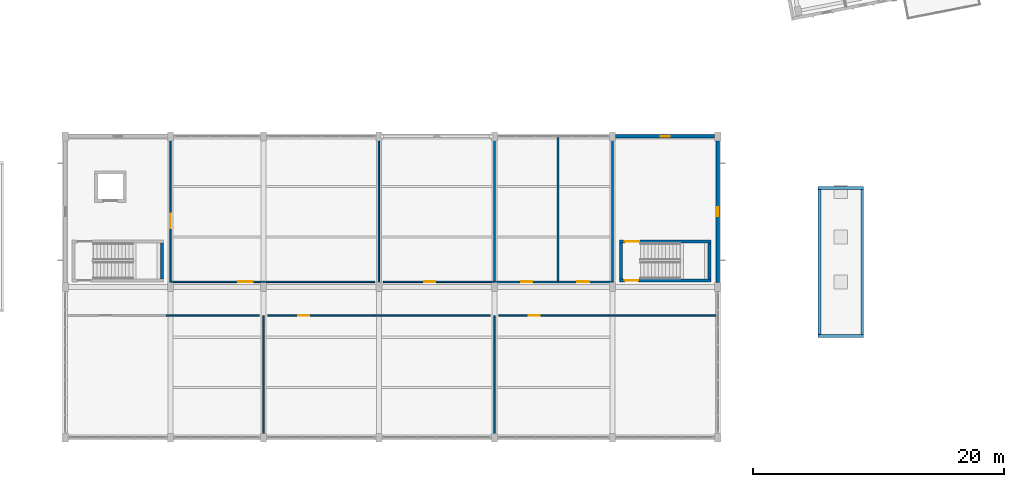
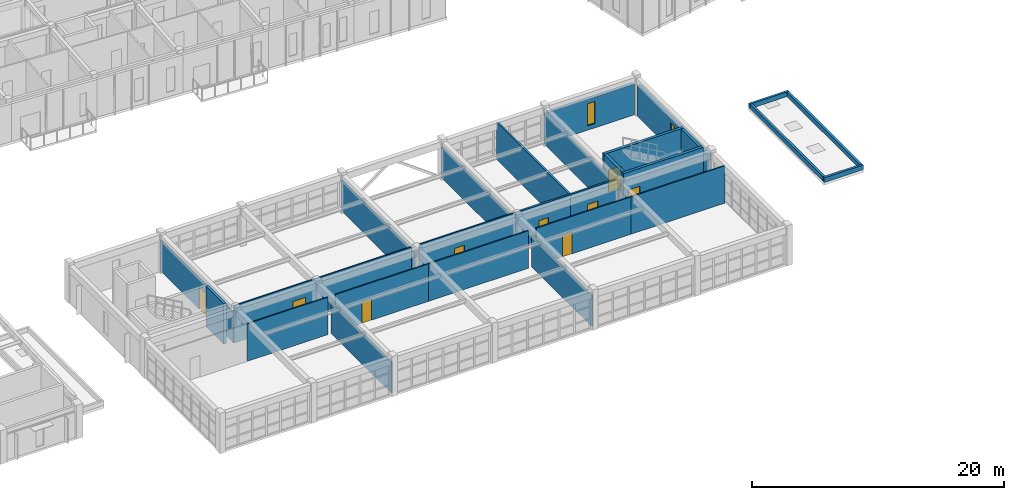
# One storey, part 86 of 150: 27 walls, 9 doors, 2 windows, 11 openings.
"""IFC4 building model written with IfcOpenShell, lengths in metres."""

from ifc_helpers import new_model, si_unit, direction, frame, frame_2d, origin, place, context, subcontext, project, spatial, rectangle, extrude, material, layer, layer_set, type_object, element, fill, save


model = new_model("IFC4")

# Units and contexts
model_context = context("Model", 3, precision=1e-05, world=origin(), true_north=direction((0.0, 1.0)))
body_context = subcontext(model_context, "Body", "Model", "MODEL_VIEW")
ifc_project = project(units=[si_unit("LENGTHUNIT", "METRE"), si_unit("AREAUNIT", "SQUARE_METRE"), si_unit("VOLUMEUNIT", "CUBIC_METRE"), si_unit("PLANEANGLEUNIT", "RADIAN"), si_unit("MASSUNIT", "GRAM", prefix="KILO")], contexts=[model_context])

# Site, building, storey
site_placement = place(None, origin())
site = spatial("IfcSite", under=ifc_project, at=site_placement, CompositionType="ELEMENT")
building_placement = place(site_placement, origin())
building = spatial("IfcBuilding", under=site, at=building_placement, Name="Kestramere Prow Commons", CompositionType="ELEMENT")
storey_placement = place(building_placement, frame((0.0, 0.0, 4.5)))
storey = spatial("IfcBuildingStorey", under=building, at=storey_placement, Name="L01", CompositionType="ELEMENT", Elevation=4.5)

# Wall, opening, window
ifc_material_1 = material(Name="Precast concrete C40/50", Category="concrete")
ifc_layer_1 = layer(ifc_material_1, 0.280029296875)
ifc_layer_set_1 = layer_set([ifc_layer_1], Name="Precast concrete C40/50")
wall_type_1 = type_object("IfcWallType", Name="EW-CIVIC-280", PredefinedType="SOLIDWALL", material=ifc_layer_set_1)
wall_1_placement = place(storey_placement, frame((103.85009765625, 24.0, 0.0), z_axis=(0.0, 0.0, 1.0), x_axis=(1.0, 0.0, 0.0)))
wall_1 = element("IfcWall", 1, at=wall_1_placement, inside=storey, type_object=wall_type_1, Name="Market L01 Core Wall 6", PredefinedType="SOLIDWALL", context=body_context, shape_type="SweptSolid", body=[
    extrude(rectangle(XDim=7.89990234375, YDim=0.280029296875, at=frame_2d((3.949951171875, 0.0))), origin(), (0.0, 0.0, 1.0), 2.989990234375),
])
opening_1_placement = place(wall_1_placement, frame((3.60009765625, 0.0, 0.419921875)))
opening_1 = element("IfcOpeningElement", 2, at=opening_1_placement, cuts=wall_1, Name="Opening WN-16", PredefinedType="OPENING", context=body_context, shape_type="SweptSolid", body=[
    extrude(rectangle(XDim=0.699951171875, YDim=2.139892578125, at=frame_2d((0.35009765625, 1.06982421875))), frame((0.0, 0.155029296875, 0.0), z_axis=(0.0, -1.0, 0.0), x_axis=(1.0, 0.0, 0.0)), (0.0, 0.0, 1.0), 0.31005859375),
])
ifc_material_2 = material(Name="Low-E Laminated Double Glazing", Category="glass")
window_type = type_object("IfcWindowType", Name="WN-CIV-700", PartitioningType="SINGLE_PANEL", PredefinedType="WINDOW", material=ifc_material_2)
window_1_placement = place(opening_1_placement, origin())
window_1 = element("IfcWindow", 3, at=window_1_placement, inside=storey, type_object=window_type, Name="WN-MK-L01-N-5", OverallHeight=2.139892578125, OverallWidth=0.699951171875, PartitioningType="SINGLE_PANEL", PredefinedType="WINDOW", context=body_context, shape_type="SweptSolid", body=[
    extrude(rectangle(XDim=0.699951171875, YDim=2.139892578125, at=frame_2d((0.35009765625, 1.06982421875))), frame((0.0, 0.030029296875, 0.0), z_axis=(0.0, -1.0, 0.0), x_axis=(1.0, 0.0, 0.0)), (0.0, 0.0, 1.0), 0.06005859375),
])
fill(opening_1, window_1)

wall_2_placement = place(storey_placement, frame((112.0, 23.64990234375, 0.0), z_axis=(0.0, 0.0, 1.0), x_axis=(0.0, -1.0, 0.0)))
wall_2 = element("IfcWall", 4, at=wall_2_placement, inside=storey, type_object=wall_type_1, Name="Market L01 E End Wall 2", PredefinedType="SOLIDWALL", context=body_context, shape_type="SweptSolid", body=[
    extrude(rectangle(XDim=11.2998046875, YDim=0.280029296875, at=frame_2d((5.64990234375, 0.0))), origin(), (0.0, 0.0, 1.0), 2.989990234375),
])
opening_2_placement = place(wall_2_placement, frame((5.300048828125, 0.0, 0.419921875)))
opening_2 = element("IfcOpeningElement", 5, at=opening_2_placement, cuts=wall_2, Name="Opening WN-16", PredefinedType="OPENING", context=body_context, shape_type="SweptSolid", body=[
    extrude(rectangle(XDim=0.699951171875, YDim=2.139892578125, at=frame_2d((0.35009765625, 1.06982421875))), frame((0.0, 0.155029296875, 0.0), z_axis=(0.0, -1.0, 0.0), x_axis=(1.0, 0.0, 0.0)), (0.0, 0.0, 1.0), 0.31005859375),
])
window_2_placement = place(opening_2_placement, origin())
window_2 = element("IfcWindow", 6, at=window_2_placement, inside=storey, type_object=window_type, Name="WN-MK-L01-E-1", OverallHeight=2.139892578125, OverallWidth=0.699951171875, PartitioningType="SINGLE_PANEL", PredefinedType="WINDOW", context=body_context, shape_type="SweptSolid", body=[
    extrude(rectangle(XDim=0.699951171875, YDim=2.139892578125, at=frame_2d((0.35009765625, 1.06982421875))), frame((0.0, 0.030029296875, 0.0), z_axis=(0.0, -1.0, 0.0), x_axis=(1.0, 0.0, 0.0)), (0.0, 0.0, 1.0), 0.06005859375),
])
fill(opening_2, window_2)

# Walls
ifc_layer_2 = layer(ifc_material_1, 0.2099609375)
ifc_layer_set_2 = layer_set([ifc_layer_2], Name="Precast concrete C40/50")
wall_type_2 = type_object("IfcWallType", Name="EW-PARAPET-210", PredefinedType="PARAPET", material=ifc_layer_set_2)
for number, where, z_axis, x_axis, name in (
    (7, (123.60009765625, 8.10498046875, 0.14990234375), (0.0, 0.0, 1.0), (-1.0, 0.0, 0.0), "East Canopy Fascia Parapet S"),
    (8, (120.0, 19.89501953125, 0.14990234375), (0.0, 0.0, 1.0), (1.0, 0.0, 0.0), "East Canopy Fascia Parapet N"),
):
    element("IfcWall", number, at=place(storey_placement, frame(where, z_axis=z_axis, x_axis=x_axis)), inside=storey, type_object=wall_type_2, Name=name, PredefinedType="PARAPET", context=body_context, shape_type="SweptSolid", body=[
        extrude(rectangle(XDim=3.60009765625, YDim=0.2099609375, at=frame_2d((1.800048828125, 0.0))), origin(), (0.0, 0.0, 1.0), 0.4501953125),
    ])
for number, where, z_axis, x_axis, name in (
    (9, (120.10498046875, 8.2099609375, 0.14990234375), (0.0, 0.0, 1.0), (0.0, 1.0, 0.0), "East Canopy Fascia Parapet W"),
    (10, (123.4951171875, 19.7900390625, 0.14990234375), (0.0, 0.0, 1.0), (0.0, -1.0, 0.0), "East Canopy Fascia Parapet E"),
):
    element("IfcWall", number, at=place(storey_placement, frame(where, z_axis=z_axis, x_axis=x_axis)), inside=storey, type_object=wall_type_2, Name=name, PredefinedType="PARAPET", context=body_context, shape_type="SweptSolid", body=[
        extrude(rectangle(XDim=11.580078125, YDim=0.2099609375, at=frame_2d((5.7900390625, 0.0))), origin(), (0.0, 0.0, 1.0), 0.4501953125),
    ])
ifc_material_3 = material(Name="Concrete C40/50", Category="concrete")
ifc_layer_3 = layer(ifc_material_3, 0.25)
ifc_layer_set_3 = layer_set([ifc_layer_3], Name="Concrete C40/50")
wall_type_3 = type_object("IfcWallType", Name="W-CORE-250", PredefinedType="SHEAR", material=ifc_layer_set_3)
wall_3_placement = place(storey_placement, frame((67.72509765625, 12.64990234375, 0.0), z_axis=(0.0, 0.0, 1.0), x_axis=(0.0, 1.0, 0.0)))
element("IfcWall", 11, at=wall_3_placement, inside=storey, type_object=wall_type_3, Name="SW-ST-M1-L01-F", PredefinedType="SHEAR", context=body_context, shape_type="SweptSolid", body=[
    extrude(rectangle(XDim=2.85009765625, YDim=0.25, at=frame_2d((1.425048828125, 0.0))), origin(), (0.0, 0.0, 1.0), 3.89990234375),
])

# Wall, opening, door
wall_4_placement = place(storey_placement, frame((104.14990234375, 12.52490234375, 0.0), z_axis=(0.0, 0.0, 1.0), x_axis=(1.0, 0.0, 0.0)))
wall_4 = element("IfcWall", 12, at=wall_4_placement, inside=storey, type_object=wall_type_3, Name="SW-ST-M2-L01-L", PredefinedType="SHEAR", context=body_context, shape_type="SweptSolid", body=[
    extrude(rectangle(XDim=7.300048828125, YDim=0.25, at=frame_2d((3.64990234375, 0.0))), origin(), (0.0, 0.0, 1.0), 3.89990234375),
])
opening_3_placement = place(wall_4_placement, frame((0.449951171875, 0.0, 0.0)))
opening_3 = element("IfcOpeningElement", 13, at=opening_3_placement, cuts=wall_4, Name="Opening ID-01", PredefinedType="OPENING", context=body_context, shape_type="SweptSolid", body=[
    extrude(rectangle(XDim=1.050048828125, YDim=2.14990234375, at=frame_2d((0.52490234375, 1.074951171875))), frame((0.0, 0.139892578125, 0.0), z_axis=(0.0, -1.0, 0.0), x_axis=(1.0, 0.0, 0.0)), (0.0, 0.0, 1.0), 0.280029296875),
])
ifc_material_4 = material(Name="Fire-Rated Timber and Steel Frame", Category="steel")
door_type_1 = type_object("IfcDoorType", Name="FD-ST-01", OperationType="NOTDEFINED", PredefinedType="DOOR", material=ifc_material_4)
door_1_placement = place(opening_3_placement, origin())
door_1 = element("IfcDoor", 14, at=door_1_placement, inside=storey, type_object=door_type_1, Name="ST-M2 L01 Protected Stair Door", OperationType="SINGLE_SWING_LEFT", OverallHeight=2.14990234375, OverallWidth=1.050048828125, PredefinedType="DOOR", context=body_context, shape_type="SweptSolid", body=[
    extrude(rectangle(XDim=1.050048828125, YDim=2.14990234375, at=frame_2d((0.52490234375, 1.074951171875))), frame((0.0, 0.02490234375, 0.0), z_axis=(0.0, -1.0, 0.0), x_axis=(1.0, 0.0, 0.0)), (0.0, 0.0, 1.0), 0.050048828125),
])
fill(opening_3, door_1)

wall_5_placement = place(storey_placement, frame((104.14990234375, 15.625, 0.0), z_axis=(0.0, 0.0, 1.0), x_axis=(1.0, 0.0, 0.0)))
wall_5 = element("IfcWall", 15, at=wall_5_placement, inside=storey, type_object=wall_type_3, Name="SW-ST-M2-L01-R", PredefinedType="SHEAR", context=body_context, shape_type="SweptSolid", body=[
    extrude(rectangle(XDim=7.300048828125, YDim=0.25, at=frame_2d((3.64990234375, 0.0))), origin(), (0.0, 0.0, 1.0), 3.89990234375),
])
opening_4_placement = place(wall_5_placement, frame((0.449951171875, 0.0, 0.0)))
opening_4 = element("IfcOpeningElement", 16, at=opening_4_placement, cuts=wall_5, Name="Opening ID-02", PredefinedType="OPENING", context=body_context, shape_type="SweptSolid", body=[
    extrude(rectangle(XDim=1.1201171875, YDim=2.14990234375, at=frame_2d((0.56005859375, 1.074951171875))), frame((0.0, 0.139892578125, 0.0), z_axis=(0.0, -1.0, 0.0), x_axis=(1.0, 0.0, 0.0)), (0.0, 0.0, 1.0), 0.280029296875),
])
door_type_2 = type_object("IfcDoorType", Name="FD-ST-02", OperationType="NOTDEFINED", PredefinedType="DOOR", material=ifc_material_4)
door_2_placement = place(opening_4_placement, origin())
door_2 = element("IfcDoor", 17, at=door_2_placement, inside=storey, type_object=door_type_2, Name="ST-M2 L01 Lobby/Exit Stair Door", OperationType="SINGLE_SWING_RIGHT", OverallHeight=2.14990234375, OverallWidth=1.1201171875, PredefinedType="DOOR", context=body_context, shape_type="SweptSolid", body=[
    extrude(rectangle(XDim=1.1201171875, YDim=2.14990234375, at=frame_2d((0.56005859375, 1.074951171875))), frame((0.0, 0.02490234375, 0.0), z_axis=(0.0, -1.0, 0.0), x_axis=(1.0, 0.0, 0.0)), (0.0, 0.0, 1.0), 0.050048828125),
])
fill(opening_4, door_2)

# Walls
for number, where, z_axis, x_axis, name in (
    (18, (104.27490234375, 12.64990234375, 0.0), (0.0, 0.0, 1.0), (0.0, 1.0, 0.0), "SW-ST-M2-L01-N"),
    (19, (111.324951171875, 12.64990234375, 0.0), (0.0, 0.0, 1.0), (0.0, 1.0, 0.0), "SW-ST-M2-L01-F"),
):
    element("IfcWall", number, at=place(storey_placement, frame(where, z_axis=z_axis, x_axis=x_axis)), inside=storey, type_object=wall_type_3, Name=name, PredefinedType="SHEAR", context=body_context, shape_type="SweptSolid", body=[
        extrude(rectangle(XDim=2.85009765625, YDim=0.25, at=frame_2d((1.425048828125, 0.0))), origin(), (0.0, 0.0, 1.0), 3.89990234375),
    ])
ifc_material_5 = material(Name="Lightweight Blockwork and Plaster", Category="masonry")
ifc_layer_4 = layer(ifc_material_5, 0.1201171875)
ifc_layer_set_4 = layer_set([ifc_layer_4], Name="Lightweight Blockwork and Plaster")
wall_type_4 = type_object("IfcWallType", Name="W-PART-120", PredefinedType="PARTITIONING", material=ifc_layer_set_4)
wall_6_placement = place(storey_placement, frame((68.050048828125, 9.719970703125, 0.0), z_axis=(0.0, 0.0, 1.0), x_axis=(1.0, 0.0, 0.0)))
element("IfcWall", 20, at=wall_6_placement, inside=storey, type_object=wall_type_4, Name="Interior Partition PW-MK-L01-CS-1", PredefinedType="PARTITIONING", context=body_context, shape_type="SweptSolid", body=[
    extrude(rectangle(XDim=7.39990234375, YDim=0.1201171875, at=frame_2d((3.699951171875, 0.0))), origin(), (0.0, 0.0, 1.0), 3.6298828125),
])

# Wall, opening, door
wall_7_placement = place(storey_placement, frame((76.14990234375, 9.719970703125, 0.0), z_axis=(0.0, 0.0, 1.0), x_axis=(1.0, 0.0, 0.0)))
wall_7 = element("IfcWall", 21, at=wall_7_placement, inside=storey, type_object=wall_type_4, Name="Interior Partition PW-MK-L01-CS-2", PredefinedType="PARTITIONING", context=body_context, shape_type="SweptSolid", body=[
    extrude(rectangle(XDim=8.5, YDim=0.1201171875, at=frame_2d((4.25, 0.0))), origin(), (0.0, 0.0, 1.0), 3.6298828125),
])
opening_5_placement = place(wall_7_placement, frame((2.39990234375, 0.0, 0.0)))
opening_5 = element("IfcOpeningElement", 22, at=opening_5_placement, cuts=wall_7, Name="Opening ID-08", PredefinedType="OPENING", context=body_context, shape_type="SweptSolid", body=[
    extrude(rectangle(XDim=0.89990234375, YDim=2.10009765625, at=frame_2d((0.449951171875, 1.050048828125))), frame((0.0, 0.074951171875, 0.0), z_axis=(0.0, -1.0, 0.0), x_axis=(1.0, 0.0, 0.0)), (0.0, 0.0, 1.0), 0.150146484375),
])
ifc_material_6 = material(Name="Engineered Timber Flush Door", Category="wood")
door_type_3 = type_object("IfcDoorType", Name="D-RM-01", OperationType="NOTDEFINED", PredefinedType="DOOR", material=ifc_material_6)
door_3_placement = place(opening_5_placement, origin())
door_3 = element("IfcDoor", 23, at=door_3_placement, inside=storey, type_object=door_type_3, Name="Interior Door DR-MK-L01-S-2", OperationType="SINGLE_SWING_LEFT", OverallHeight=2.10009765625, OverallWidth=0.89990234375, PredefinedType="DOOR", context=body_context, shape_type="SweptSolid", body=[
    extrude(rectangle(XDim=0.89990234375, YDim=2.10009765625, at=frame_2d((0.449951171875, 1.050048828125))), frame((0.0, 0.02490234375, 0.0), z_axis=(0.0, -1.0, 0.0), x_axis=(1.0, 0.0, 0.0)), (0.0, 0.0, 1.0), 0.050048828125),
])
fill(opening_5, door_3)

# Wall
wall_8_placement = place(storey_placement, frame((84.64990234375, 9.719970703125, 0.0), z_axis=(0.0, 0.0, 1.0), x_axis=(1.0, 0.0, 0.0)))
element("IfcWall", 24, at=wall_8_placement, inside=storey, type_object=wall_type_4, Name="Interior Partition PW-MK-L01-CS-3", PredefinedType="PARTITIONING", context=body_context, shape_type="SweptSolid", body=[
    extrude(rectangle(XDim=9.2001953125, YDim=0.1201171875, at=frame_2d((4.60009765625, 0.0))), origin(), (0.0, 0.0, 1.0), 3.6298828125),
])

# Wall, opening, door
wall_9_placement = place(storey_placement, frame((94.550048828125, 9.719970703125, 0.0), z_axis=(0.0, 0.0, 1.0), x_axis=(1.0, 0.0, 0.0)))
wall_9 = element("IfcWall", 25, at=wall_9_placement, inside=storey, type_object=wall_type_4, Name="Interior Partition PW-MK-L01-CS-4", PredefinedType="PARTITIONING", context=body_context, shape_type="SweptSolid", body=[
    extrude(rectangle(XDim=8.699951171875, YDim=0.1201171875, at=frame_2d((4.35009765625, 0.0))), origin(), (0.0, 0.0, 1.0), 3.6298828125),
])
opening_6_placement = place(wall_9_placement, frame((2.39990234375, 0.0, 0.0)))
opening_6 = element("IfcOpeningElement", 26, at=opening_6_placement, cuts=wall_9, Name="Opening ID-10", PredefinedType="OPENING", context=body_context, shape_type="SweptSolid", body=[
    extrude(rectangle(XDim=0.8798828125, YDim=2.10009765625, at=frame_2d((0.43994140625, 1.050048828125))), frame((0.0, 0.074951171875, 0.0), z_axis=(0.0, -1.0, 0.0), x_axis=(1.0, 0.0, 0.0)), (0.0, 0.0, 1.0), 0.150146484375),
])
ifc_material_7 = material(Name="Engineered Timber Bedroom Door", Category="wood")
door_type_4 = type_object("IfcDoorType", Name="D-RM-03", OperationType="NOTDEFINED", PredefinedType="DOOR", material=ifc_material_7)
door_4_placement = place(opening_6_placement, origin())
door_4 = element("IfcDoor", 27, at=door_4_placement, inside=storey, type_object=door_type_4, Name="Interior Door DR-MK-L01-S-4", OperationType="SINGLE_SWING_LEFT", OverallHeight=2.10009765625, OverallWidth=0.8798828125, PredefinedType="DOOR", context=body_context, shape_type="SweptSolid", body=[
    extrude(rectangle(XDim=0.8798828125, YDim=2.10009765625, at=frame_2d((0.43994140625, 1.050048828125))), frame((0.0, 0.02490234375, 0.0), z_axis=(0.0, -1.0, 0.0), x_axis=(1.0, 0.0, 0.0)), (0.0, 0.0, 1.0), 0.050048828125),
])
fill(opening_6, door_4)

# Walls
wall_10_placement = place(storey_placement, frame((103.25, 9.719970703125, 0.0), z_axis=(0.0, 0.0, 1.0), x_axis=(1.0, 0.0, 0.0)))
element("IfcWall", 28, at=wall_10_placement, inside=storey, type_object=wall_type_4, Name="Interior Partition PW-MK-L01-CS-5", PredefinedType="PARTITIONING", context=body_context, shape_type="SweptSolid", body=[
    extrude(rectangle(XDim=8.60009765625, YDim=0.1201171875, at=frame_2d((4.300048828125, 0.0))), origin(), (0.0, 0.0, 1.0), 3.6298828125),
])
for number, where, z_axis, x_axis, name in (
    (29, (75.800048828125, 0.1201171875, 0.0), (0.0, 0.0, 1.0), (0.0, 1.0, 0.0), "Interior Partition PW-MK-L01-DV-158"),
    (30, (94.199951171875, 0.1201171875, 0.0), (0.0, 0.0, 1.0), (0.0, 1.0, 0.0), "Interior Partition PW-MK-L01-DV-342"),
):
    element("IfcWall", number, at=place(storey_placement, frame(where, z_axis=z_axis, x_axis=x_axis)), inside=storey, type_object=wall_type_4, Name=name, PredefinedType="PARTITIONING", context=body_context, shape_type="SweptSolid", body=[
        extrude(rectangle(XDim=9.599853515625, YDim=0.1201171875, at=frame_2d((4.7998046875, 0.0))), origin(), (0.0, 0.0, 1.0), 3.0),
    ])

# Wall, opening, door
wall_11_placement = place(storey_placement, frame((68.39990234375, 12.419921875, 0.0), z_axis=(0.0, 0.0, 1.0), x_axis=(1.0, 0.0, 0.0)))
wall_11 = element("IfcWall", 31, at=wall_11_placement, inside=storey, type_object=wall_type_4, Name="Interior Partition PW-MK-L01-CN-84", PredefinedType="PARTITIONING", context=body_context, shape_type="SweptSolid", body=[
    extrude(rectangle(XDim=16.25, YDim=0.1201171875, at=frame_2d((8.125, 0.0))), origin(), (0.0, 0.0, 1.0), 3.6298828125),
])
opening_7_placement = place(wall_11_placement, frame((5.39990234375, 0.0, 0.0)))
opening_7 = element("IfcOpeningElement", 32, at=opening_7_placement, cuts=wall_11, Name="Opening ID-09", PredefinedType="OPENING", context=body_context, shape_type="SweptSolid", body=[
    extrude(rectangle(XDim=1.14990234375, YDim=2.14990234375, at=frame_2d((0.574951171875, 1.074951171875))), frame((0.0, 0.074951171875, 0.0), z_axis=(0.0, -1.0, 0.0), x_axis=(1.0, 0.0, 0.0)), (0.0, 0.0, 1.0), 0.150146484375),
])
ifc_material_8 = material(Name="Engineered Timber Acoustic Door", Category="wood")
door_type_5 = type_object("IfcDoorType", Name="D-RM-02", OperationType="NOTDEFINED", PredefinedType="DOOR", material=ifc_material_8)
door_5_placement = place(opening_7_placement, origin())
door_5 = element("IfcDoor", 33, at=door_5_placement, inside=storey, type_object=door_type_5, Name="Interior Door DR-MK-L01-N1", OperationType="SINGLE_SWING_RIGHT", OverallHeight=2.14990234375, OverallWidth=1.14990234375, PredefinedType="DOOR", context=body_context, shape_type="SweptSolid", body=[
    extrude(rectangle(XDim=1.14990234375, YDim=2.14990234375, at=frame_2d((0.574951171875, 1.074951171875))), frame((0.0, 0.02490234375, 0.0), z_axis=(0.0, -1.0, 0.0), x_axis=(1.0, 0.0, 0.0)), (0.0, 0.0, 1.0), 0.050048828125),
])
fill(opening_7, door_5)

wall_12_placement = place(storey_placement, frame((85.35009765625, 12.419921875, 0.0), z_axis=(0.0, 0.0, 1.0), x_axis=(1.0, 0.0, 0.0)))
wall_12 = element("IfcWall", 34, at=wall_12_placement, inside=storey, type_object=wall_type_4, Name="Interior Partition PW-MK-L01-CN-253", PredefinedType="PARTITIONING", context=body_context, shape_type="SweptSolid", body=[
    extrude(rectangle(XDim=8.849853515625, YDim=0.1201171875, at=frame_2d((4.4248046875, 0.0))), origin(), (0.0, 0.0, 1.0), 3.6298828125),
])
opening_8_placement = place(wall_12_placement, frame((3.25, 0.0, 0.0)))
opening_8 = element("IfcOpeningElement", 35, at=opening_8_placement, cuts=wall_12, Name="Opening ID-08", PredefinedType="OPENING", context=body_context, shape_type="SweptSolid", body=[
    extrude(rectangle(XDim=0.89990234375, YDim=2.10009765625, at=frame_2d((0.449951171875, 1.050048828125))), frame((0.0, 0.074951171875, 0.0), z_axis=(0.0, -1.0, 0.0), x_axis=(1.0, 0.0, 0.0)), (0.0, 0.0, 1.0), 0.150146484375),
])
door_6_placement = place(opening_8_placement, origin())
door_6 = element("IfcDoor", 36, at=door_6_placement, inside=storey, type_object=door_type_3, Name="Interior Door DR-MK-L01-N2", OperationType="SINGLE_SWING_RIGHT", OverallHeight=2.10009765625, OverallWidth=0.89990234375, PredefinedType="DOOR", context=body_context, shape_type="SweptSolid", body=[
    extrude(rectangle(XDim=0.89990234375, YDim=2.10009765625, at=frame_2d((0.449951171875, 1.050048828125))), frame((0.0, 0.02490234375, 0.0), z_axis=(0.0, -1.0, 0.0), x_axis=(1.0, 0.0, 0.0)), (0.0, 0.0, 1.0), 0.050048828125),
])
fill(opening_8, door_6)

wall_13_placement = place(storey_placement, frame((68.39990234375, 12.419921875, 0.0), z_axis=(0.0, 0.0, 1.0), x_axis=(0.0, 1.0, 0.0)))
wall_13 = element("IfcWall", 37, at=wall_13_placement, inside=storey, type_object=wall_type_4, Name="Interior Partition PW-MK-L01-DN-84", PredefinedType="PARTITIONING", context=body_context, shape_type="SweptSolid", body=[
    extrude(rectangle(XDim=11.5400390625, YDim=0.1201171875, at=frame_2d((5.77001953125, 0.0))), origin(), (0.0, 0.0, 1.0), 3.0),
])
opening_9_placement = place(wall_13_placement, frame((4.25, 0.0, 0.0)))
opening_9 = element("IfcOpeningElement", 38, at=opening_9_placement, cuts=wall_13, Name="Opening ID-03", PredefinedType="OPENING", context=body_context, shape_type="SweptSolid", body=[
    extrude(rectangle(XDim=1.179931640625, YDim=2.14990234375, at=frame_2d((0.58984375, 1.074951171875))), frame((0.0, 0.074951171875, 0.0), z_axis=(0.0, -1.0, 0.0), x_axis=(1.0, 0.0, 0.0)), (0.0, 0.0, 1.0), 0.150146484375),
])
ifc_material_9 = material(Name="Fire-Rated Glazed Smoke-Stop Door")
door_type_6 = type_object("IfcDoorType", Name="FD-LB-01", OperationType="NOTDEFINED", PredefinedType="DOOR", material=ifc_material_9)
door_7_placement = place(opening_9_placement, origin())
door_7 = element("IfcDoor", 39, at=door_7_placement, inside=storey, type_object=door_type_6, Name="Interior Door DR-MK-L01-LLOB", OperationType="SINGLE_SWING_LEFT", OverallHeight=2.14990234375, OverallWidth=1.179931640625, PredefinedType="DOOR", context=body_context, shape_type="SweptSolid", body=[
    extrude(rectangle(XDim=1.179931640625, YDim=2.14990234375, at=frame_2d((0.58984375, 1.074951171875))), frame((0.0, 0.02490234375, 0.0), z_axis=(0.0, -1.0, 0.0), x_axis=(1.0, 0.0, 0.0)), (0.0, 0.0, 1.0), 0.050048828125),
])
fill(opening_9, door_7)

# Wall
wall_14_placement = place(storey_placement, frame((85.0, 12.419921875, 0.0), z_axis=(0.0, 0.0, 1.0), x_axis=(0.0, 1.0, 0.0)))
element("IfcWall", 40, at=wall_14_placement, inside=storey, type_object=wall_type_4, Name="Interior Partition PW-MK-L01-DN-250", PredefinedType="PARTITIONING", context=body_context, shape_type="SweptSolid", body=[
    extrude(rectangle(XDim=11.5400390625, YDim=0.1201171875, at=frame_2d((5.77001953125, 0.0))), origin(), (0.0, 0.0, 1.0), 3.0),
])

# Wall, opening, door
ifc_material_10 = material(Name="Waterproof Sanitary Masonry Wall", Category="masonry")
ifc_layer_5 = layer(ifc_material_10, 0.1650390625)
ifc_layer_set_5 = layer_set([ifc_layer_5], Name="Waterproof Sanitary Masonry Wall")
wall_type_5 = type_object("IfcWallType", Name="W-PLUMB-150", PredefinedType="PLUMBINGWALL", material=ifc_layer_set_5)
wall_15_placement = place(storey_placement, frame((94.199951171875, 12.419921875, 0.0), z_axis=(0.0, 0.0, 1.0), x_axis=(1.0, 0.0, 0.0)))
wall_15 = element("IfcWall", 41, at=wall_15_placement, inside=storey, type_object=wall_type_5, Name="Interior Partition PW-MK-L01-CN-342", PredefinedType="PLUMBINGWALL", context=body_context, shape_type="SweptSolid", body=[
    extrude(rectangle(XDim=5.050048828125, YDim=0.1650390625, at=frame_2d((2.52490234375, 0.0))), origin(), (0.0, 0.0, 1.0), 3.6298828125),
])
opening_10_placement = place(wall_15_placement, frame((2.14990234375, 0.0, 0.0)))
opening_10 = element("IfcOpeningElement", 42, at=opening_10_placement, cuts=wall_15, Name="Opening ID-12", PredefinedType="OPENING", context=body_context, shape_type="SweptSolid", body=[
    extrude(rectangle(XDim=0.860107421875, YDim=2.10009765625, at=frame_2d((0.43017578125, 1.050048828125))), frame((0.0, 0.097412109375, 0.0), z_axis=(0.0, -1.0, 0.0), x_axis=(1.0, 0.0, 0.0)), (0.0, 0.0, 1.0), 0.195068359375),
])
ifc_material_11 = material(Name="Moisture-Resistant Timber WC Door", Category="wood")
door_type_7 = type_object("IfcDoorType", Name="D-WC-01", OperationType="NOTDEFINED", PredefinedType="DOOR", material=ifc_material_11)
door_8_placement = place(opening_10_placement, origin())
door_8 = element("IfcDoor", 43, at=door_8_placement, inside=storey, type_object=door_type_7, Name="Interior Door DR-MK-L01-PWC", OperationType="SINGLE_SWING_RIGHT", OverallHeight=2.10009765625, OverallWidth=0.860107421875, PredefinedType="DOOR", context=body_context, shape_type="SweptSolid", body=[
    extrude(rectangle(XDim=0.860107421875, YDim=2.10009765625, at=frame_2d((0.43017578125, 1.050048828125))), frame((0.0, 0.02490234375, 0.0), z_axis=(0.0, -1.0, 0.0), x_axis=(1.0, 0.0, 0.0)), (0.0, 0.0, 1.0), 0.050048828125),
])
fill(opening_10, door_8)

wall_16_placement = place(storey_placement, frame((99.25, 12.419921875, 0.0), z_axis=(0.0, 0.0, 1.0), x_axis=(1.0, 0.0, 0.0)))
wall_16 = element("IfcWall", 44, at=wall_16_placement, inside=storey, type_object=wall_type_5, Name="Interior Partition PW-MK-L01-CN-392", PredefinedType="PLUMBINGWALL", context=body_context, shape_type="SweptSolid", body=[
    extrude(rectangle(XDim=4.35009765625, YDim=0.1650390625, at=frame_2d((2.175048828125, 0.0))), origin(), (0.0, 0.0, 1.0), 3.6298828125),
])
opening_11_placement = place(wall_16_placement, frame((1.550048828125, 0.0, 0.0)))
opening_11 = element("IfcOpeningElement", 45, at=opening_11_placement, cuts=wall_16, Name="Opening ID-13", PredefinedType="OPENING", context=body_context, shape_type="SweptSolid", body=[
    extrude(rectangle(XDim=0.9599609375, YDim=2.1201171875, at=frame_2d((0.47998046875, 1.06005859375))), frame((0.0, 0.097412109375, 0.0), z_axis=(0.0, -1.0, 0.0), x_axis=(1.0, 0.0, 0.0)), (0.0, 0.0, 1.0), 0.195068359375),
])
ifc_material_12 = material(Name="Accessible Wide-Leaf Timber Door", Category="wood")
door_type_8 = type_object("IfcDoorType", Name="D-ACC-01", OperationType="NOTDEFINED", PredefinedType="DOOR", material=ifc_material_12)
door_9_placement = place(opening_11_placement, origin())
door_9 = element("IfcDoor", 46, at=door_9_placement, inside=storey, type_object=door_type_8, Name="Interior Door DR-MK-L01-AWC", OperationType="SINGLE_SWING_RIGHT", OverallHeight=2.1201171875, OverallWidth=0.9599609375, PredefinedType="DOOR", context=body_context, shape_type="SweptSolid", body=[
    extrude(rectangle(XDim=0.9599609375, YDim=2.1201171875, at=frame_2d((0.47998046875, 1.06005859375))), frame((0.0, 0.02490234375, 0.0), z_axis=(0.0, -1.0, 0.0), x_axis=(1.0, 0.0, 0.0)), (0.0, 0.0, 1.0), 0.050048828125),
])
fill(opening_11, door_9)

# Walls
wall_17_placement = place(storey_placement, frame((94.199951171875, 12.419921875, 0.0), z_axis=(0.0, 0.0, 1.0), x_axis=(0.0, 1.0, 0.0)))
element("IfcWall", 47, at=wall_17_placement, inside=storey, type_object=wall_type_5, Name="Interior Partition PW-MK-L01-DN-342", PredefinedType="PLUMBINGWALL", context=body_context, shape_type="SweptSolid", body=[
    extrude(rectangle(XDim=11.5400390625, YDim=0.1650390625, at=frame_2d((5.77001953125, 0.0))), origin(), (0.0, 0.0, 1.0), 3.0),
])
wall_18_placement = place(storey_placement, frame((99.25, 12.419921875, 0.0), z_axis=(0.0, 0.0, 1.0), x_axis=(0.0, 1.0, 0.0)))
element("IfcWall", 48, at=wall_18_placement, inside=storey, type_object=wall_type_5, Name="Interior Partition PW-MK-L01-DN-392", PredefinedType="PLUMBINGWALL", context=body_context, shape_type="SweptSolid", body=[
    extrude(rectangle(XDim=11.5400390625, YDim=0.1650390625, at=frame_2d((5.77001953125, 0.0))), origin(), (0.0, 0.0, 1.0), 3.6298828125),
])
wall_19_placement = place(storey_placement, frame((103.60009765625, 12.419921875, 0.0), z_axis=(0.0, 0.0, 1.0), x_axis=(0.0, 1.0, 0.0)))
element("IfcWall", 49, at=wall_19_placement, inside=storey, type_object=wall_type_5, Name="Interior Partition PW-MK-L01-DN-436", PredefinedType="PLUMBINGWALL", context=body_context, shape_type="SweptSolid", body=[
    extrude(rectangle(XDim=11.5400390625, YDim=0.1650390625, at=frame_2d((5.77001953125, 0.0))), origin(), (0.0, 0.0, 1.0), 3.0),
])

save(model, "model.ifc")
